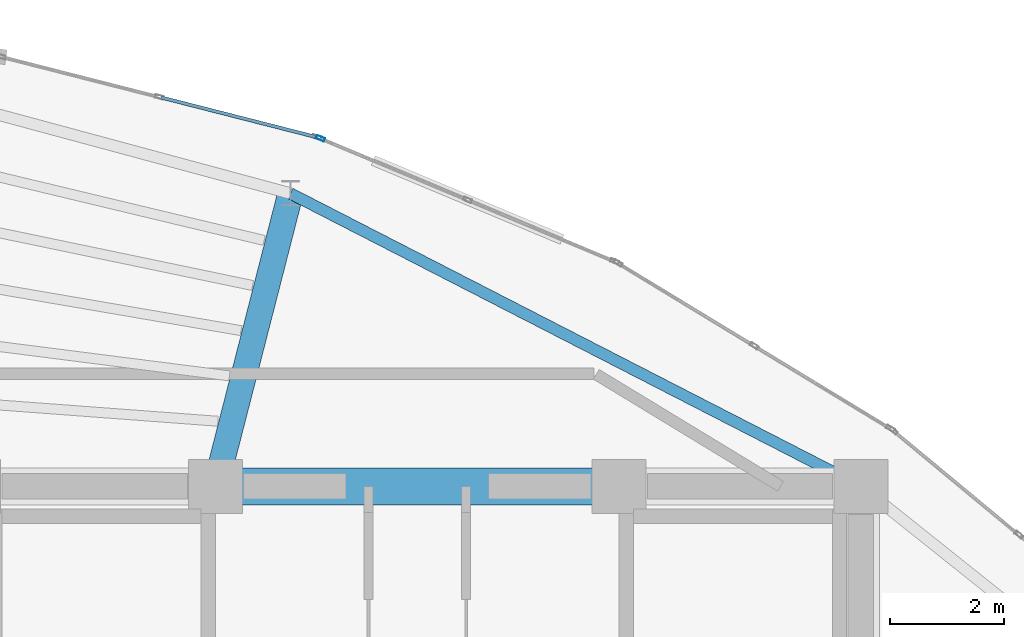
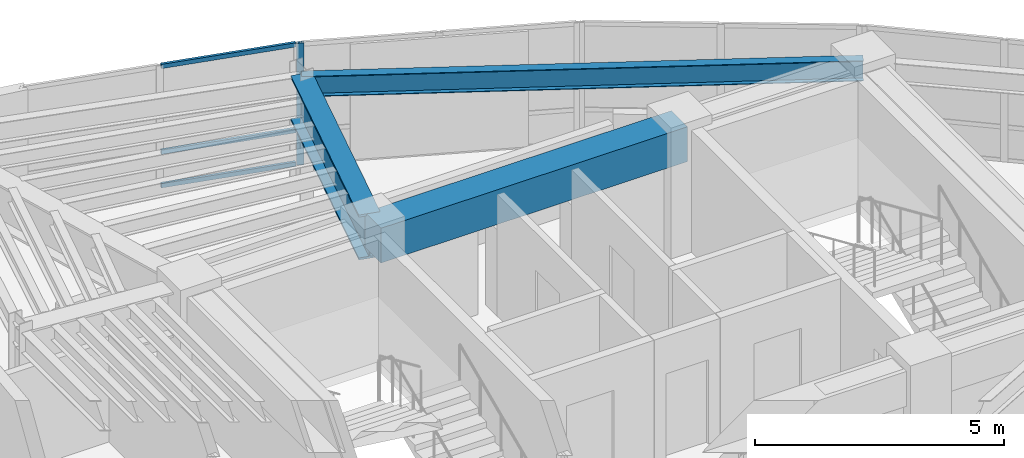
# One storey, part 8 of 14: 4 members, 3 beams, 2 elements without a shape of their own.
"""IFC4 building model written with IfcOpenShell, lengths in metres."""

from ifc_helpers import new_model, si_unit, direction, frame, origin, origin_2d, place, context, subcontext, project, spatial, rectangle, hollow_rectangle, i_section, extrude, material, layer, layer_set, material_profile, profile_set, type_object, element, aggregate, save


model = new_model("IFC4")

# Units and contexts
model_context = context("Model", 3, precision=1e-05, world=origin(), true_north=direction((0.0, 1.0)))
body_context = subcontext(model_context, "Body", "Model", "MODEL_VIEW")
ifc_project = project(units=[si_unit("LENGTHUNIT", "METRE"), si_unit("AREAUNIT", "SQUARE_METRE"), si_unit("VOLUMEUNIT", "CUBIC_METRE"), si_unit("PLANEANGLEUNIT", "RADIAN"), si_unit("MASSUNIT", "GRAM", prefix="KILO")], contexts=[model_context])

# Site, building, storey
site_placement = place(None, origin())
site = spatial("IfcSite", under=ifc_project, at=site_placement, CompositionType="ELEMENT")
building_placement = place(site_placement, origin())
building = spatial("IfcBuilding", under=site, at=building_placement, Name="Menara Vayukalpa", CompositionType="ELEMENT")
storey_placement = place(building_placement, frame((0.0, 0.0, 308.820068359375)))
storey = spatial("IfcBuildingStorey", under=building, at=storey_placement, Name="L79", CompositionType="ELEMENT", Elevation=308.820068359375)

# Beams
ifc_material_1 = material(Name="Concrete C60/75", Category="concrete")
ifc_material_profile_1 = material_profile(ifc_material_1, rectangle(XDim=0.64990234375, YDim=0.85009765625, at=origin_2d()), Name="RC 650x850")
ifc_profile_set_1 = profile_set([ifc_material_profile_1], Name="Concrete C60/75")
beam_type_1 = type_object("IfcBeamType", Name="BM-CB1", PredefinedType="BEAM", material=ifc_profile_set_1)
beam_1_placement = place(storey_placement, frame((22.050048828125, 26.800048828125, 2.554931640625), z_axis=(1.0, 0.0, 0.0), x_axis=(0.0, 1.0, 0.0)))
element("IfcBeam", 1, at=beam_1_placement, inside=storey, type_object=beam_type_1, Name="L79 Core Tie Beam CBR5", PredefinedType="BEAM", context=body_context, shape_type="SweptSolid", body=[
    extrude(rectangle(XDim=0.64990234375, YDim=0.85009765625, at=origin_2d()), origin(), (0.0, 0.0, 1.0), 7.099853515625),
])
ifc_material_2 = material(Name="Steel S460", Category="steel")
ifc_material_profile_2 = material_profile(ifc_material_2, i_section(OverallWidth=0.449951171875, OverallDepth=1.10009765625, WebThickness=0.02490234375, FlangeThickness=0.050048828125, at=origin_2d()), Name="WG 1100x450x25x50")
ifc_profile_set_2 = profile_set([ifc_material_profile_2], Name="Steel S460")
beam_type_2 = type_object("IfcBeamType", Name="BM-MTG1", PredefinedType="BEAM", material=ifc_profile_set_2)
beam_2_placement = place(storey_placement, frame((22.112060546875, 27.042236328125, 2.429931640625), z_axis=(0.248427525231, 0.968650486351, 0.0), x_axis=(-0.968650486351, 0.248427525231, 0.0)))
element("IfcBeam", 2, at=beam_2_placement, inside=storey, type_object=beam_type_2, Name="L79 Primary Radial Girder RG03", PredefinedType="BEAM", context=body_context, shape_type="SweptSolid", body=[
    extrude(i_section(OverallWidth=0.449951171875, OverallDepth=1.10009765625, WebThickness=0.02490234375, FlangeThickness=0.050048828125, at=origin_2d()), origin(), (0.0, 0.0, 1.0), 5.066162109375),
])
ifc_material_3 = material(Name="Steel S355", Category="steel")
ifc_material_profile_3 = material_profile(ifc_material_3, i_section(OverallWidth=0.199951171875, OverallDepth=0.5, WebThickness=0.010009765625, FlangeThickness=0.01611328125, at=origin_2d()), Name="WF 500x200x10x16")
ifc_profile_set_3 = profile_set([ifc_material_profile_3], Name="Steel S355")
beam_type_3 = type_object("IfcBeamType", Name="BM-SP3", PredefinedType="SPANDREL", material=ifc_profile_set_3)
beam_3_placement = place(storey_placement, frame((33.39990234375, 26.800048828125, 2.72998046875), z_axis=(-0.889594604964, 0.456750959297, 0.0), x_axis=(-0.456750959297, -0.889594604964, 0.0)))
element("IfcBeam", 3, at=beam_3_placement, inside=storey, type_object=beam_type_3, Name="L79 Perimeter Spandrel Beam SP02", PredefinedType="SPANDREL", context=body_context, shape_type="SweptSolid", body=[
    extrude(i_section(OverallWidth=0.199951171875, OverallDepth=0.5, WebThickness=0.010009765625, FlangeThickness=0.01611328125, at=origin_2d()), origin(), (0.0, 0.0, 1.0), 11.27392578125),
])

# Curtain wall, member
ifc_material_4 = material(Name="Anodised Terracotta Aluminium Alloy 6063-T6", Category="masonry")
ifc_layer = layer(ifc_material_4, 0.14990234375)
ifc_layer_set = layer_set([ifc_layer], Name="Anodised Terracotta Aluminium Alloy 6063-T6")
curtain_wall_type = type_object("IfcCurtainWallType", Name="CW-CW7", PredefinedType="USERDEFINED", material=ifc_layer_set)
curtain_wall_1_placement = place(storey_placement, origin())
curtain_wall_1 = element("IfcCurtainWall", 4, at=curtain_wall_1_placement, inside=storey, type_object=curtain_wall_type, Name="L79 Crown Drum Screened Curtain Wall CW7 05", ObjectType="UNITISED", PredefinedType="USERDEFINED")
ifc_material_5 = material(Name="Anodised Terracotta Aluminium Alloy 6063-T6", Category="masonry")
ifc_material_profile_4 = material_profile(ifc_material_5, hollow_rectangle(XDim=0.06494140625, YDim=0.14990234375, WallThickness=0.00341796875, at=origin_2d()), Name="ALU 65x150x3.5")
ifc_profile_set_4 = profile_set([ifc_material_profile_4], Name="Anodised Terracotta Aluminium Alloy 6063-T6")
member_type_1 = type_object("IfcMemberType", Name="CWM-CW7", PredefinedType="MULLION", material=ifc_profile_set_4)
member_1_placement = place(storey_placement, frame((23.89990234375, 32.9169921875, 0.0), z_axis=(0.0, 0.0, 1.0), x_axis=(-0.385898361946, -0.922541302191, 0.0)))
member_1 = element("IfcMember", 5, at=member_1_placement, type_object=member_type_1, Name="CW7 mullion 3", PredefinedType="MULLION", context=body_context, shape_type="SweptSolid", body=[
    extrude(hollow_rectangle(XDim=0.06494140625, YDim=0.14990234375, WallThickness=0.00341796875, at=origin_2d()), origin(), (0.0, 0.0, 1.0), 2.97998046875),
])
aggregate(curtain_wall_1, [member_1])

# Curtain wall, members
curtain_wall_2_placement = place(storey_placement, origin())
curtain_wall_2 = element("IfcCurtainWall", 6, at=curtain_wall_2_placement, inside=storey, type_object=curtain_wall_type, Name="L79 Crown Drum Screened Curtain Wall CW7 06", ObjectType="UNITISED", PredefinedType="USERDEFINED")
ifc_material_6 = material(Name="Anodised Terracotta Aluminium Alloy 6063-T6", Category="masonry")
ifc_material_profile_5 = material_profile(ifc_material_6, hollow_rectangle(XDim=0.06005859375, YDim=0.10498046875, WallThickness=0.0029296875, at=origin_2d()), Name="ALU 60x105x3")
ifc_profile_set_5 = profile_set([ifc_material_profile_5], Name="Anodised Terracotta Aluminium Alloy 6063-T6")
member_type_2 = type_object("IfcMemberType", Name="CWT-CW7", PredefinedType="USERDEFINED", material=ifc_profile_set_5)
member_2_placement = place(storey_placement, frame((23.806884765625, 32.945556640625, 0.030029296875), z_axis=(-0.968962149671, 0.247209127066, 0.0), x_axis=(-0.247209127066, -0.968962149671, 0.0)))
member_2 = element("IfcMember", 7, at=member_2_placement, type_object=member_type_2, Name="CW7 transom 1.1", ObjectType="TRANSOM", PredefinedType="USERDEFINED", context=body_context, shape_type="SweptSolid", body=[
    extrude(hollow_rectangle(XDim=0.06005859375, YDim=0.10498046875, WallThickness=0.0029296875, at=origin_2d()), origin(), (0.0, 0.0, 1.0), 2.80078125),
])
member_3_placement = place(storey_placement, frame((23.806884765625, 32.945556640625, 0.849853515625), z_axis=(-0.968962149671, 0.247209127066, 0.0), x_axis=(-0.247209127066, -0.968962149671, 0.0)))
member_3 = element("IfcMember", 8, at=member_3_placement, type_object=member_type_2, Name="CW7 transom 1.2", ObjectType="TRANSOM", PredefinedType="USERDEFINED", context=body_context, shape_type="SweptSolid", body=[
    extrude(hollow_rectangle(XDim=0.06005859375, YDim=0.10498046875, WallThickness=0.0029296875, at=origin_2d()), origin(), (0.0, 0.0, 1.0), 2.80078125),
])
member_4_placement = place(storey_placement, frame((23.806884765625, 32.945556640625, 2.949951171875), z_axis=(-0.968962149671, 0.247209127066, 0.0), x_axis=(-0.247209127066, -0.968962149671, 0.0)))
member_4 = element("IfcMember", 9, at=member_4_placement, type_object=member_type_2, Name="CW7 transom 1.3", ObjectType="TRANSOM", PredefinedType="USERDEFINED", context=body_context, shape_type="SweptSolid", body=[
    extrude(hollow_rectangle(XDim=0.06005859375, YDim=0.10498046875, WallThickness=0.0029296875, at=origin_2d()), origin(), (0.0, 0.0, 1.0), 2.80078125),
])
aggregate(curtain_wall_2, [member_2, member_3, member_4])

save(model, "model.ifc")
